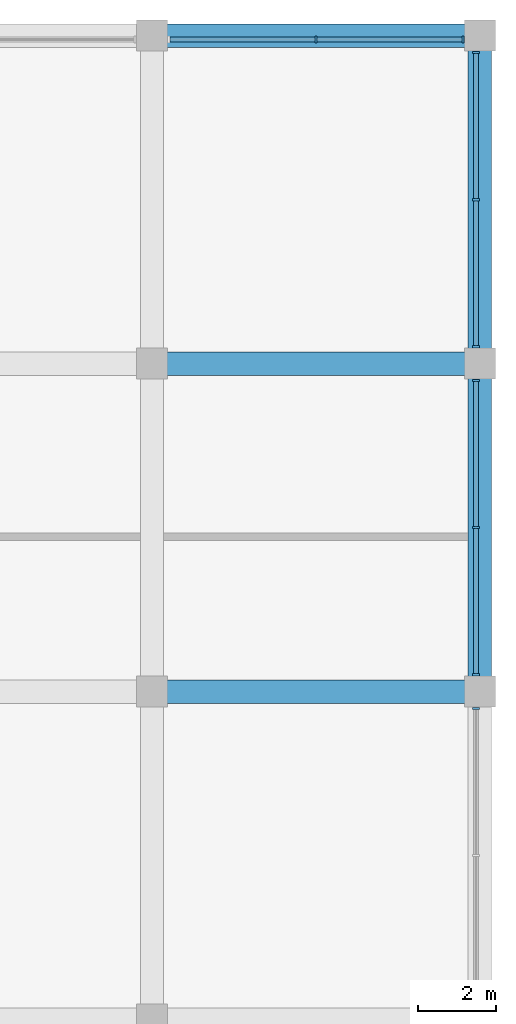
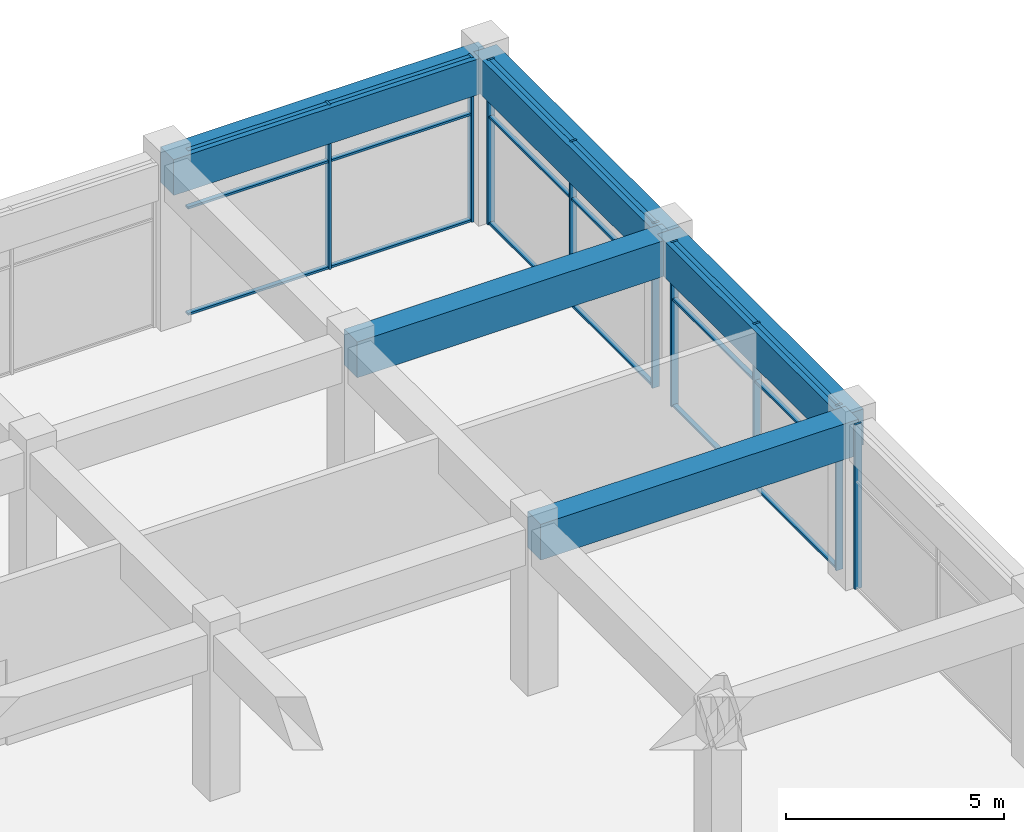
# One storey, part 22 of 33: 27 members, 5 beams, 4 elements without a shape of their own.
"""IFC4 building model written with IfcOpenShell, lengths in metres."""

from ifc_helpers import new_model, si_unit, direction, frame, origin, origin_2d, place, context, subcontext, project, spatial, rectangle, extrude, material, material_profile, profile_set, type_object, element, aggregate, save


model = new_model("IFC4")

# Units and contexts
model_context = context("Model", 3, precision=1e-05, world=origin(), true_north=direction((0.0, 1.0)))
body_context = subcontext(model_context, "Body", "Model", "MODEL_VIEW")
ifc_project = project(units=[si_unit("LENGTHUNIT", "METRE"), si_unit("AREAUNIT", "SQUARE_METRE"), si_unit("VOLUMEUNIT", "CUBIC_METRE"), si_unit("PLANEANGLEUNIT", "RADIAN"), si_unit("MASSUNIT", "GRAM", prefix="KILO")], contexts=[model_context])

# Site, building, storey
site_placement = place(None, origin())
site = spatial("IfcSite", under=ifc_project, at=site_placement, CompositionType="ELEMENT")
building_placement = place(site_placement, origin())
building = spatial("IfcBuilding", under=site, at=building_placement, Name="Impinga Residences", CompositionType="ELEMENT")
storey_placement = place(building_placement, frame((0.0, 0.0, 21.0)))
storey = spatial("IfcBuildingStorey", under=building, at=storey_placement, Name="L04", CompositionType="ELEMENT", Elevation=21.0)

# Curtain wall, members
ifc_material_1 = material(Name="Aluminium stick curtain wall", Category="aluminium")
curtain_wall_type = type_object("IfcCurtainWallType", Name="CW1 podium amenity curtain wall", PredefinedType="USERDEFINED", material=ifc_material_1)
curtain_wall_1_placement = place(storey_placement, origin())
curtain_wall_1 = element("IfcCurtainWall", 1, at=curtain_wall_1_placement, inside=storey, type_object=curtain_wall_type, Name="Curtain wall CW1 L04", ObjectType="STICK CURTAIN WALL", PredefinedType="USERDEFINED")
ifc_material_2 = material(Name="Aluminium mullion", Category="aluminium")
ifc_material_profile_1 = material_profile(ifc_material_2, rectangle(XDim=0.06005859375, YDim=0.179931640625, at=origin_2d()), Name="60x180 mullion")
ifc_profile_set_1 = profile_set([ifc_material_profile_1], Name="Aluminium mullion")
member_type_1 = type_object("IfcMemberType", Name="CW1-M mullion 60x180", PredefinedType="MULLION", material=ifc_profile_set_1)
member_1_placement = place(storey_placement, frame((46.199951171875, 50.300048828125, 0.0), z_axis=(0.0, 0.0, 1.0), x_axis=(1.0, 0.0, 0.0)))
member_1 = element("IfcMember", 2, at=member_1_placement, type_object=member_type_1, Name="CW1 mullion 2", PredefinedType="MULLION", context=body_context, shape_type="SweptSolid", body=[
    extrude(rectangle(XDim=0.06005859375, YDim=0.179931640625, at=origin_2d()), origin(), (0.0, 0.0, 1.0), 4.60009765625),
])
member_2_placement = place(storey_placement, frame((49.967041015625, 50.300048828125, 0.0), z_axis=(0.0, 0.0, 1.0), x_axis=(1.0, 0.0, 0.0)))
member_2 = element("IfcMember", 3, at=member_2_placement, type_object=member_type_1, Name="CW1 mullion 3", PredefinedType="MULLION", context=body_context, shape_type="SweptSolid", body=[
    extrude(rectangle(XDim=0.06005859375, YDim=0.179931640625, at=origin_2d()), origin(), (0.0, 0.0, 1.0), 4.60009765625),
])

curtain_wall_2_placement = place(storey_placement, origin())
curtain_wall_2 = element("IfcCurtainWall", 4, at=curtain_wall_2_placement, inside=storey, type_object=curtain_wall_type, Name="Curtain wall CW1 L04", ObjectType="STICK CURTAIN WALL", PredefinedType="USERDEFINED")
member_3_placement = place(storey_placement, frame((50.300048828125, 49.967041015625, 0.0), z_axis=(0.0, 0.0, 1.0), x_axis=(0.0, -1.0, 0.0)))
member_3 = element("IfcMember", 5, at=member_3_placement, type_object=member_type_1, Name="CW1 mullion 1", PredefinedType="MULLION", context=body_context, shape_type="SweptSolid", body=[
    extrude(rectangle(XDim=0.06005859375, YDim=0.179931640625, at=origin_2d()), origin(), (0.0, 0.0, 1.0), 4.60009765625),
])
member_4_placement = place(storey_placement, frame((50.300048828125, 46.199951171875, 0.0), z_axis=(0.0, 0.0, 1.0), x_axis=(0.0, -1.0, 0.0)))
member_4 = element("IfcMember", 6, at=member_4_placement, type_object=member_type_1, Name="CW1 mullion 2", PredefinedType="MULLION", context=body_context, shape_type="SweptSolid", body=[
    extrude(rectangle(XDim=0.06005859375, YDim=0.179931640625, at=origin_2d()), origin(), (0.0, 0.0, 1.0), 4.60009765625),
])
member_5_placement = place(storey_placement, frame((50.300048828125, 42.43310546875, 0.0), z_axis=(0.0, 0.0, 1.0), x_axis=(0.0, -1.0, 0.0)))
member_5 = element("IfcMember", 7, at=member_5_placement, type_object=member_type_1, Name="CW1 mullion 3", PredefinedType="MULLION", context=body_context, shape_type="SweptSolid", body=[
    extrude(rectangle(XDim=0.06005859375, YDim=0.179931640625, at=origin_2d()), origin(), (0.0, 0.0, 1.0), 4.60009765625),
])

curtain_wall_3_placement = place(storey_placement, origin())
curtain_wall_3 = element("IfcCurtainWall", 8, at=curtain_wall_3_placement, inside=storey, type_object=curtain_wall_type, Name="Curtain wall CW1 L04", ObjectType="STICK CURTAIN WALL", PredefinedType="USERDEFINED")
member_6_placement = place(storey_placement, frame((50.300048828125, 41.56689453125, 0.0), z_axis=(0.0, 0.0, 1.0), x_axis=(0.0, -1.0, 0.0)))
member_6 = element("IfcMember", 9, at=member_6_placement, type_object=member_type_1, Name="CW1 mullion 1", PredefinedType="MULLION", context=body_context, shape_type="SweptSolid", body=[
    extrude(rectangle(XDim=0.06005859375, YDim=0.179931640625, at=origin_2d()), origin(), (0.0, 0.0, 1.0), 4.60009765625),
])
member_7_placement = place(storey_placement, frame((50.300048828125, 37.800048828125, 0.0), z_axis=(0.0, 0.0, 1.0), x_axis=(0.0, -1.0, 0.0)))
member_7 = element("IfcMember", 10, at=member_7_placement, type_object=member_type_1, Name="CW1 mullion 2", PredefinedType="MULLION", context=body_context, shape_type="SweptSolid", body=[
    extrude(rectangle(XDim=0.06005859375, YDim=0.179931640625, at=origin_2d()), origin(), (0.0, 0.0, 1.0), 4.60009765625),
])
member_8_placement = place(storey_placement, frame((50.300048828125, 34.032958984375, 0.0), z_axis=(0.0, 0.0, 1.0), x_axis=(0.0, -1.0, 0.0)))
member_8 = element("IfcMember", 11, at=member_8_placement, type_object=member_type_1, Name="CW1 mullion 3", PredefinedType="MULLION", context=body_context, shape_type="SweptSolid", body=[
    extrude(rectangle(XDim=0.06005859375, YDim=0.179931640625, at=origin_2d()), origin(), (0.0, 0.0, 1.0), 4.60009765625),
])

# Curtain wall, member
curtain_wall_4_placement = place(storey_placement, origin())
curtain_wall_4 = element("IfcCurtainWall", 12, at=curtain_wall_4_placement, inside=storey, type_object=curtain_wall_type, Name="Curtain wall CW1 L04", ObjectType="STICK CURTAIN WALL", PredefinedType="USERDEFINED")
member_9_placement = place(storey_placement, frame((50.300048828125, 33.1669921875, 0.0), z_axis=(0.0, 0.0, 1.0), x_axis=(0.0, -1.0, 0.0)))
member_9 = element("IfcMember", 13, at=member_9_placement, type_object=member_type_1, Name="CW1 mullion 1", PredefinedType="MULLION", context=body_context, shape_type="SweptSolid", body=[
    extrude(rectangle(XDim=0.06005859375, YDim=0.179931640625, at=origin_2d()), origin(), (0.0, 0.0, 1.0), 4.60009765625),
])
aggregate(curtain_wall_4, [member_9])

# Member
ifc_material_3 = material(Name="Aluminium transom", Category="aluminium")
ifc_material_profile_2 = material_profile(ifc_material_3, rectangle(XDim=0.06005859375, YDim=0.1201171875, at=origin_2d()), Name="60x120 transom")
ifc_profile_set_2 = profile_set([ifc_material_profile_2], Name="Aluminium transom")
member_type_2 = type_object("IfcMemberType", Name="CW1-T transom 60x120", PredefinedType="USERDEFINED", material=ifc_profile_set_2)
member_10_placement = place(storey_placement, frame((42.462890625, 50.300048828125, 0.030029296875), z_axis=(1.0, 0.0, 0.0), x_axis=(0.0, 0.0, 1.0)))
member_10 = element("IfcMember", 14, at=member_10_placement, type_object=member_type_2, Name="CW1 transom 1.1", ObjectType="TRANSOM", PredefinedType="USERDEFINED", context=body_context, shape_type="SweptSolid", body=[
    extrude(rectangle(XDim=0.06005859375, YDim=0.1201171875, at=origin_2d()), origin(), (0.0, 0.0, 1.0), 3.70703125),
])

member_11_placement = place(storey_placement, frame((42.462890625, 50.300048828125, 3.0), z_axis=(1.0, 0.0, 0.0), x_axis=(0.0, 0.0, 1.0)))
member_11 = element("IfcMember", 15, at=member_11_placement, type_object=member_type_2, Name="CW1 transom 1.2", ObjectType="TRANSOM", PredefinedType="USERDEFINED", context=body_context, shape_type="SweptSolid", body=[
    extrude(rectangle(XDim=0.06005859375, YDim=0.1201171875, at=origin_2d()), origin(), (0.0, 0.0, 1.0), 3.70703125),
])

member_12_placement = place(storey_placement, frame((42.462890625, 50.300048828125, 4.570068359375), z_axis=(1.0, 0.0, 0.0), x_axis=(0.0, 0.0, 1.0)))
member_12 = element("IfcMember", 16, at=member_12_placement, type_object=member_type_2, Name="CW1 transom 1.3", ObjectType="TRANSOM", PredefinedType="USERDEFINED", context=body_context, shape_type="SweptSolid", body=[
    extrude(rectangle(XDim=0.06005859375, YDim=0.1201171875, at=origin_2d()), origin(), (0.0, 0.0, 1.0), 3.70703125),
])

member_13_placement = place(storey_placement, frame((46.22998046875, 50.300048828125, 0.030029296875), z_axis=(1.0, 0.0, 0.0), x_axis=(0.0, 0.0, 1.0)))
member_13 = element("IfcMember", 17, at=member_13_placement, type_object=member_type_2, Name="CW1 transom 2.1", ObjectType="TRANSOM", PredefinedType="USERDEFINED", context=body_context, shape_type="SweptSolid", body=[
    extrude(rectangle(XDim=0.06005859375, YDim=0.1201171875, at=origin_2d()), origin(), (0.0, 0.0, 1.0), 3.70703125),
])

member_14_placement = place(storey_placement, frame((46.22998046875, 50.300048828125, 3.0), z_axis=(1.0, 0.0, 0.0), x_axis=(0.0, 0.0, 1.0)))
member_14 = element("IfcMember", 18, at=member_14_placement, type_object=member_type_2, Name="CW1 transom 2.2", ObjectType="TRANSOM", PredefinedType="USERDEFINED", context=body_context, shape_type="SweptSolid", body=[
    extrude(rectangle(XDim=0.06005859375, YDim=0.1201171875, at=origin_2d()), origin(), (0.0, 0.0, 1.0), 3.70703125),
])

member_15_placement = place(storey_placement, frame((46.22998046875, 50.300048828125, 4.570068359375), z_axis=(1.0, 0.0, 0.0), x_axis=(0.0, 0.0, 1.0)))
member_15 = element("IfcMember", 19, at=member_15_placement, type_object=member_type_2, Name="CW1 transom 2.3", ObjectType="TRANSOM", PredefinedType="USERDEFINED", context=body_context, shape_type="SweptSolid", body=[
    extrude(rectangle(XDim=0.06005859375, YDim=0.1201171875, at=origin_2d()), origin(), (0.0, 0.0, 1.0), 3.70703125),
])

aggregate(curtain_wall_1, [member_1, member_2, member_10, member_11, member_12, member_13, member_14, member_15])

member_16_placement = place(storey_placement, frame((50.300048828125, 49.93701171875, 0.030029296875), z_axis=(0.0, -1.0, 0.0), x_axis=(0.0, 0.0, 1.0)))
member_16 = element("IfcMember", 20, at=member_16_placement, type_object=member_type_2, Name="CW1 transom 1.1", ObjectType="TRANSOM", PredefinedType="USERDEFINED", context=body_context, shape_type="SweptSolid", body=[
    extrude(rectangle(XDim=0.06005859375, YDim=0.1201171875, at=origin_2d()), origin(), (0.0, 0.0, 1.0), 3.70703125),
])

member_17_placement = place(storey_placement, frame((50.300048828125, 49.93701171875, 3.0), z_axis=(0.0, -1.0, 0.0), x_axis=(0.0, 0.0, 1.0)))
member_17 = element("IfcMember", 21, at=member_17_placement, type_object=member_type_2, Name="CW1 transom 1.2", ObjectType="TRANSOM", PredefinedType="USERDEFINED", context=body_context, shape_type="SweptSolid", body=[
    extrude(rectangle(XDim=0.06005859375, YDim=0.1201171875, at=origin_2d()), origin(), (0.0, 0.0, 1.0), 3.70703125),
])

member_18_placement = place(storey_placement, frame((50.300048828125, 49.93701171875, 4.570068359375), z_axis=(0.0, -1.0, 0.0), x_axis=(0.0, 0.0, 1.0)))
member_18 = element("IfcMember", 22, at=member_18_placement, type_object=member_type_2, Name="CW1 transom 1.3", ObjectType="TRANSOM", PredefinedType="USERDEFINED", context=body_context, shape_type="SweptSolid", body=[
    extrude(rectangle(XDim=0.06005859375, YDim=0.1201171875, at=origin_2d()), origin(), (0.0, 0.0, 1.0), 3.70703125),
])

member_19_placement = place(storey_placement, frame((50.300048828125, 46.169921875, 0.030029296875), z_axis=(0.0, -1.0, 0.0), x_axis=(0.0, 0.0, 1.0)))
member_19 = element("IfcMember", 23, at=member_19_placement, type_object=member_type_2, Name="CW1 transom 2.1", ObjectType="TRANSOM", PredefinedType="USERDEFINED", context=body_context, shape_type="SweptSolid", body=[
    extrude(rectangle(XDim=0.06005859375, YDim=0.1201171875, at=origin_2d()), origin(), (0.0, 0.0, 1.0), 3.70703125),
])

member_20_placement = place(storey_placement, frame((50.300048828125, 46.169921875, 3.0), z_axis=(0.0, -1.0, 0.0), x_axis=(0.0, 0.0, 1.0)))
member_20 = element("IfcMember", 24, at=member_20_placement, type_object=member_type_2, Name="CW1 transom 2.2", ObjectType="TRANSOM", PredefinedType="USERDEFINED", context=body_context, shape_type="SweptSolid", body=[
    extrude(rectangle(XDim=0.06005859375, YDim=0.1201171875, at=origin_2d()), origin(), (0.0, 0.0, 1.0), 3.70703125),
])

member_21_placement = place(storey_placement, frame((50.300048828125, 46.169921875, 4.570068359375), z_axis=(0.0, -1.0, 0.0), x_axis=(0.0, 0.0, 1.0)))
member_21 = element("IfcMember", 25, at=member_21_placement, type_object=member_type_2, Name="CW1 transom 2.3", ObjectType="TRANSOM", PredefinedType="USERDEFINED", context=body_context, shape_type="SweptSolid", body=[
    extrude(rectangle(XDim=0.06005859375, YDim=0.1201171875, at=origin_2d()), origin(), (0.0, 0.0, 1.0), 3.70703125),
])

aggregate(curtain_wall_2, [member_3, member_4, member_5, member_16, member_17, member_18, member_19, member_20, member_21])

member_22_placement = place(storey_placement, frame((50.300048828125, 41.537109375, 0.030029296875), z_axis=(0.0, -1.0, 0.0), x_axis=(0.0, 0.0, 1.0)))
member_22 = element("IfcMember", 26, at=member_22_placement, type_object=member_type_2, Name="CW1 transom 1.1", ObjectType="TRANSOM", PredefinedType="USERDEFINED", context=body_context, shape_type="SweptSolid", body=[
    extrude(rectangle(XDim=0.06005859375, YDim=0.1201171875, at=origin_2d()), origin(), (0.0, 0.0, 1.0), 3.70703125),
])

member_23_placement = place(storey_placement, frame((50.300048828125, 41.537109375, 3.0), z_axis=(0.0, -1.0, 0.0), x_axis=(0.0, 0.0, 1.0)))
member_23 = element("IfcMember", 27, at=member_23_placement, type_object=member_type_2, Name="CW1 transom 1.2", ObjectType="TRANSOM", PredefinedType="USERDEFINED", context=body_context, shape_type="SweptSolid", body=[
    extrude(rectangle(XDim=0.06005859375, YDim=0.1201171875, at=origin_2d()), origin(), (0.0, 0.0, 1.0), 3.70703125),
])

member_24_placement = place(storey_placement, frame((50.300048828125, 41.537109375, 4.570068359375), z_axis=(0.0, -1.0, 0.0), x_axis=(0.0, 0.0, 1.0)))
member_24 = element("IfcMember", 28, at=member_24_placement, type_object=member_type_2, Name="CW1 transom 1.3", ObjectType="TRANSOM", PredefinedType="USERDEFINED", context=body_context, shape_type="SweptSolid", body=[
    extrude(rectangle(XDim=0.06005859375, YDim=0.1201171875, at=origin_2d()), origin(), (0.0, 0.0, 1.0), 3.70703125),
])

member_25_placement = place(storey_placement, frame((50.300048828125, 37.77001953125, 0.030029296875), z_axis=(0.0, -1.0, 0.0), x_axis=(0.0, 0.0, 1.0)))
member_25 = element("IfcMember", 29, at=member_25_placement, type_object=member_type_2, Name="CW1 transom 2.1", ObjectType="TRANSOM", PredefinedType="USERDEFINED", context=body_context, shape_type="SweptSolid", body=[
    extrude(rectangle(XDim=0.06005859375, YDim=0.1201171875, at=origin_2d()), origin(), (0.0, 0.0, 1.0), 3.70703125),
])

member_26_placement = place(storey_placement, frame((50.300048828125, 37.77001953125, 3.0), z_axis=(0.0, -1.0, 0.0), x_axis=(0.0, 0.0, 1.0)))
member_26 = element("IfcMember", 30, at=member_26_placement, type_object=member_type_2, Name="CW1 transom 2.2", ObjectType="TRANSOM", PredefinedType="USERDEFINED", context=body_context, shape_type="SweptSolid", body=[
    extrude(rectangle(XDim=0.06005859375, YDim=0.1201171875, at=origin_2d()), origin(), (0.0, 0.0, 1.0), 3.70703125),
])

member_27_placement = place(storey_placement, frame((50.300048828125, 37.77001953125, 4.570068359375), z_axis=(0.0, -1.0, 0.0), x_axis=(0.0, 0.0, 1.0)))
member_27 = element("IfcMember", 31, at=member_27_placement, type_object=member_type_2, Name="CW1 transom 2.3", ObjectType="TRANSOM", PredefinedType="USERDEFINED", context=body_context, shape_type="SweptSolid", body=[
    extrude(rectangle(XDim=0.06005859375, YDim=0.1201171875, at=origin_2d()), origin(), (0.0, 0.0, 1.0), 3.70703125),
])

aggregate(curtain_wall_3, [member_6, member_7, member_8, member_22, member_23, member_24, member_25, member_26, member_27])

# Beams
ifc_material_4 = material(Name="Concrete C60/75", Category="concrete")
ifc_material_profile_3 = material_profile(ifc_material_4, rectangle(XDim=0.60009765625, YDim=1.0, at=origin_2d()), Name="RC 600x1000")
ifc_profile_set_3 = profile_set([ifc_material_profile_3], Name="Concrete C60/75")
beam_type = type_object("IfcBeamType", Name="PB2 600x1000 podium beam", PredefinedType="BEAM", material=ifc_profile_set_3)
for number, where, z_axis, x_axis, name in (
    (32, (42.0, 33.60009765625, 4.10009765625), (1.0, 0.0, 0.0), (0.0, 1.0, 0.0), "Beam PB2 K/12-13 level L05"),
    (33, (42.0, 42.0, 4.10009765625), (1.0, 0.0, 0.0), (0.0, 1.0, 0.0), "Beam PB2 L/12-13 level L05"),
    (34, (42.0, 50.39990234375, 4.10009765625), (1.0, 0.0, 0.0), (0.0, 1.0, 0.0), "Beam PB2 M/12-13 level L05"),
    (35, (50.39990234375, 33.60009765625, 4.10009765625), (0.0, 1.0, 0.0), (-1.0, 0.0, 0.0), "Beam PB2 13/K-L level L05"),
    (36, (50.39990234375, 42.0, 4.10009765625), (0.0, 1.0, 0.0), (-1.0, 0.0, 0.0), "Beam PB2 13/L-M level L05"),
):
    element("IfcBeam", number, at=place(storey_placement, frame(where, z_axis=z_axis, x_axis=x_axis)), inside=storey, type_object=beam_type, Name=name, PredefinedType="BEAM", context=body_context, shape_type="SweptSolid", body=[
        extrude(rectangle(XDim=0.60009765625, YDim=1.0, at=origin_2d()), origin(), (0.0, 0.0, 1.0), 8.39990234375),
    ])

save(model, "model.ifc")
